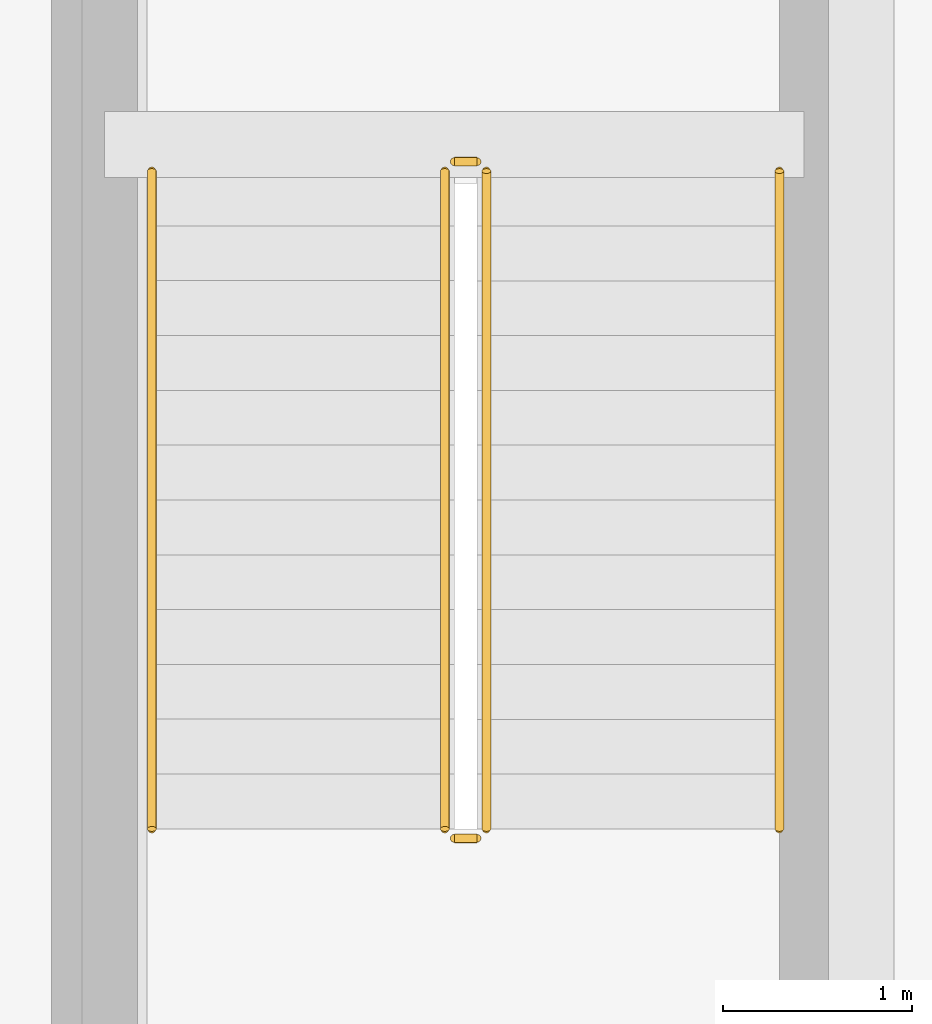
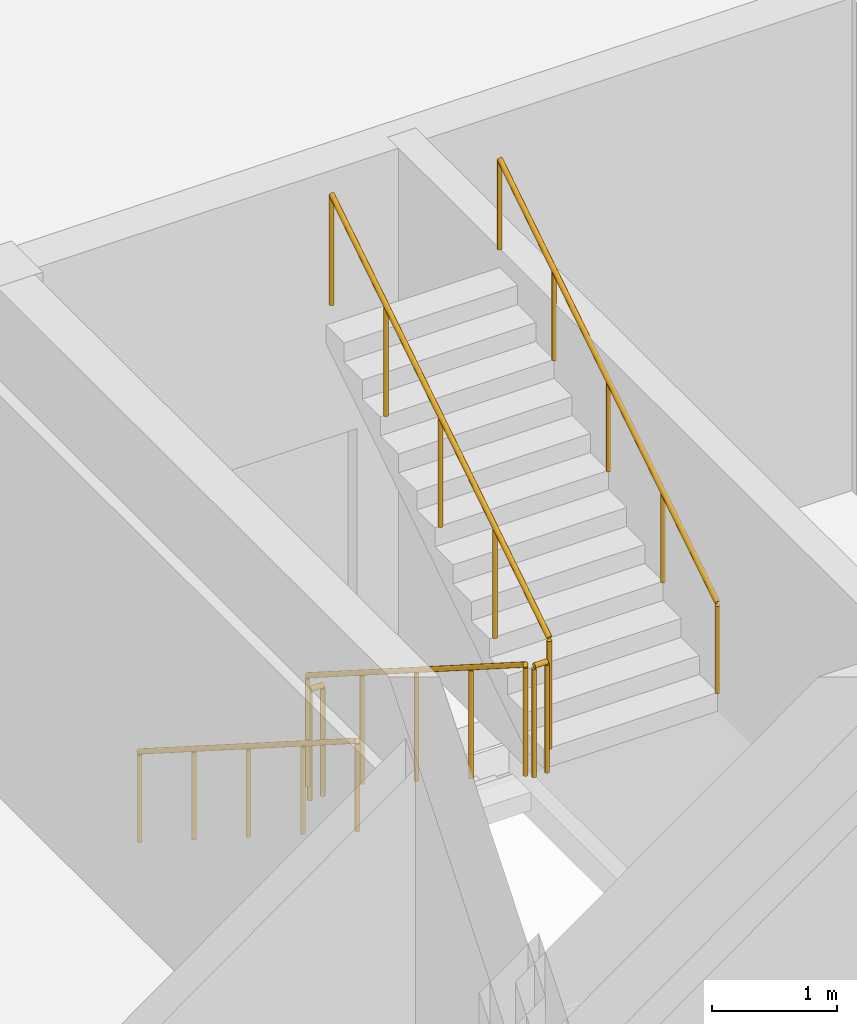
# One storey, part 44 of 47: 6 railings.
"""IFC4 building model written with IfcOpenShell, lengths in metres."""

from ifc_helpers import new_model, si_unit, direction, frame, origin, origin_2d, place, context, subcontext, project, spatial, circle, extrude, material, type_object, element, save


model = new_model("IFC4")

# Units and contexts
model_context = context("Model", 3, precision=1e-05, world=origin(), true_north=direction((0.0, 1.0)))
body_context = subcontext(model_context, "Body", "Model", "MODEL_VIEW")
ifc_project = project(units=[si_unit("LENGTHUNIT", "METRE"), si_unit("AREAUNIT", "SQUARE_METRE"), si_unit("VOLUMEUNIT", "CUBIC_METRE"), si_unit("PLANEANGLEUNIT", "RADIAN"), si_unit("MASSUNIT", "GRAM", prefix="KILO")], contexts=[model_context])

# Site, building, storey
site_placement = place(None, origin())
site = spatial("IfcSite", under=ifc_project, at=site_placement, CompositionType="ELEMENT")
building_placement = place(site_placement, origin())
building = spatial("IfcBuilding", under=site, at=building_placement, Name="Vharandega Faculty of Natural Sciences", CompositionType="ELEMENT")
storey_placement = place(building_placement, frame((0.0, 0.0, 5.39990234375)))
storey = spatial("IfcBuildingStorey", under=building, at=storey_placement, Name="L01", CompositionType="ELEMENT", Elevation=5.39990234375)

# Railings
ifc_material_1 = material(Name="Brushed stainless steel handrail", Category="steel")
railing_type_1 = type_object("IfcRailingType", Name="Stair Tubular Handrail 900", PredefinedType="HANDRAIL", material=ifc_material_1)
railing_1_placement = place(storey_placement, frame((48.25, 70.610107421875, 0.184814453125)))
element("IfcRailing", 1, at=railing_1_placement, inside=storey, type_object=railing_type_1, Name="L01 ST5 stair handrail 1", PredefinedType="HANDRAIL", context=body_context, shape_type="SweptSolid", body=[
    extrude(circle(Radius=0.02392578125, at=origin_2d()), frame((0.0, 0.0, 0.8759765625), z_axis=(0.0, -0.843590814224, 0.536986534428), x_axis=(1.0, 0.0, 0.0)), (0.0, 0.0, 1.0), 4.12548828125),
    extrude(circle(Radius=0.02099609375, at=origin_2d()), origin(), (0.0, 0.0, 1.0), 0.851806640625),
    extrude(circle(Radius=0.02099609375, at=origin_2d()), frame((0.0, -0.8701171875, 0.5537109375)), (0.0, 0.0, 1.0), 0.851806640625),
    extrude(circle(Radius=0.02099609375, at=origin_2d()), frame((0.0, -1.740234375, 1.107666015625)), (0.0, 0.0, 1.0), 0.851806640625),
    extrude(circle(Radius=0.02099609375, at=origin_2d()), frame((0.0, -2.610107421875, 1.66162109375)), (0.0, 0.0, 1.0), 0.851806640625),
    extrude(circle(Radius=0.02099609375, at=origin_2d()), frame((0.0, -3.480224609375, 2.21533203125)), (0.0, 0.0, 1.0), 0.851806640625),
])
railing_2_placement = place(storey_placement, frame((51.570068359375, 67.1298828125, 2.584716796875)))
element("IfcRailing", 2, at=railing_2_placement, inside=storey, type_object=railing_type_1, Name="L01 ST5 stair handrail 2", PredefinedType="HANDRAIL", context=body_context, shape_type="SweptSolid", body=[
    extrude(circle(Radius=0.02392578125, at=origin_2d()), frame((0.0, 0.0, 0.8759765625), z_axis=(0.0, 0.843590814224, 0.536986534428), x_axis=(-1.0, 0.0, 0.0)), (0.0, 0.0, 1.0), 4.12548828125),
    extrude(circle(Radius=0.02099609375, at=origin_2d()), origin(), (0.0, 0.0, 1.0), 0.851806640625),
    extrude(circle(Radius=0.02099609375, at=origin_2d()), frame((0.0, 0.8701171875, 0.5537109375)), (0.0, 0.0, 1.0), 0.851806640625),
    extrude(circle(Radius=0.02099609375, at=origin_2d()), frame((0.0, 1.740234375, 1.107666015625)), (0.0, 0.0, 1.0), 0.851806640625),
    extrude(circle(Radius=0.02099609375, at=origin_2d()), frame((0.0, 2.610107421875, 1.66162109375)), (0.0, 0.0, 1.0), 0.851806640625),
    extrude(circle(Radius=0.02099609375, at=origin_2d()), frame((0.0, 3.480224609375, 2.21533203125)), (0.0, 0.0, 1.0), 0.851806640625),
])
ifc_material_2 = material(Name="Painted steel stair guardrail", Category="steel")
railing_type_2 = type_object("IfcRailingType", Name="Stairwell Steel Guardrail 1100", PredefinedType="GUARDRAIL", material=ifc_material_2)
railing_3_placement = place(storey_placement, frame((49.800048828125, 70.610107421875, 0.184814453125)))
element("IfcRailing", 3, at=railing_3_placement, inside=storey, type_object=railing_type_2, Name="L01 ST5 stair guard 1", PredefinedType="GUARDRAIL", context=body_context, shape_type="SweptSolid", body=[
    extrude(circle(Radius=0.02392578125, at=origin_2d()), frame((0.0, 0.0, 1.076171875), z_axis=(0.0, -0.843590814224, 0.536986534428), x_axis=(1.0, 0.0, 0.0)), (0.0, 0.0, 1.0), 4.12548828125),
    extrude(circle(Radius=0.02099609375, at=origin_2d()), origin(), (0.0, 0.0, 1.0), 1.052001953125),
    extrude(circle(Radius=0.02099609375, at=origin_2d()), frame((0.0, -0.8701171875, 0.5537109375)), (0.0, 0.0, 1.0), 1.052001953125),
    extrude(circle(Radius=0.02099609375, at=origin_2d()), frame((0.0, -1.740234375, 1.107666015625)), (0.0, 0.0, 1.0), 1.052001953125),
    extrude(circle(Radius=0.02099609375, at=origin_2d()), frame((0.0, -2.610107421875, 1.66162109375)), (0.0, 0.0, 1.0), 1.052001953125),
    extrude(circle(Radius=0.02099609375, at=origin_2d()), frame((0.0, -3.480224609375, 2.21533203125)), (0.0, 0.0, 1.0), 1.052001953125),
])
railing_4_placement = place(storey_placement, frame((49.85009765625, 67.080078125, 2.400146484375)))
element("IfcRailing", 4, at=railing_4_placement, inside=storey, type_object=railing_type_2, Name="L01 ST5 stair guard 2", PredefinedType="GUARDRAIL", context=body_context, shape_type="SweptSolid", body=[
    extrude(circle(Radius=0.02392578125, at=origin_2d()), frame((0.0, 0.0, 1.076171875), z_axis=(1.0, 0.0, 0.0), x_axis=(0.0, 1.0, 0.0)), (0.0, 0.0, 1.0), 0.119873046875),
    extrude(circle(Radius=0.02099609375, at=origin_2d()), origin(), (0.0, 0.0, 1.0), 1.052001953125),
    extrude(circle(Radius=0.02099609375, at=origin_2d()), frame((0.119873046875, 0.0, 0.0)), (0.0, 0.0, 1.0), 1.052001953125),
])
railing_5_placement = place(storey_placement, frame((50.02001953125, 67.1298828125, 2.584716796875)))
element("IfcRailing", 5, at=railing_5_placement, inside=storey, type_object=railing_type_2, Name="L01 ST5 stair guard 3", PredefinedType="GUARDRAIL", context=body_context, shape_type="SweptSolid", body=[
    extrude(circle(Radius=0.02392578125, at=origin_2d()), frame((0.0, 0.0, 1.076171875), z_axis=(0.0, 0.843590814224, 0.536986534428), x_axis=(-1.0, 0.0, 0.0)), (0.0, 0.0, 1.0), 4.12548828125),
    extrude(circle(Radius=0.02099609375, at=origin_2d()), origin(), (0.0, 0.0, 1.0), 1.052001953125),
    extrude(circle(Radius=0.02099609375, at=origin_2d()), frame((0.0, 0.8701171875, 0.5537109375)), (0.0, 0.0, 1.0), 1.052001953125),
    extrude(circle(Radius=0.02099609375, at=origin_2d()), frame((0.0, 1.740234375, 1.107666015625)), (0.0, 0.0, 1.0), 1.052001953125),
    extrude(circle(Radius=0.02099609375, at=origin_2d()), frame((0.0, 2.610107421875, 1.66162109375)), (0.0, 0.0, 1.0), 1.052001953125),
    extrude(circle(Radius=0.02099609375, at=origin_2d()), frame((0.0, 3.480224609375, 2.21533203125)), (0.0, 0.0, 1.0), 1.052001953125),
])
railing_6_placement = place(storey_placement, frame((49.85009765625, 70.659912109375, 0.0)))
element("IfcRailing", 6, at=railing_6_placement, inside=storey, type_object=railing_type_2, Name="L01 ST5 stair guard 4", PredefinedType="GUARDRAIL", context=body_context, shape_type="SweptSolid", body=[
    extrude(circle(Radius=0.02392578125, at=origin_2d()), frame((0.0, 0.0, 1.076171875), z_axis=(1.0, 0.0, 0.0), x_axis=(0.0, 1.0, 0.0)), (0.0, 0.0, 1.0), 0.119873046875),
    extrude(circle(Radius=0.02099609375, at=origin_2d()), origin(), (0.0, 0.0, 1.0), 1.052001953125),
    extrude(circle(Radius=0.02099609375, at=origin_2d()), frame((0.119873046875, 0.0, 0.0)), (0.0, 0.0, 1.0), 1.052001953125),
])

save(model, "model.ifc")
